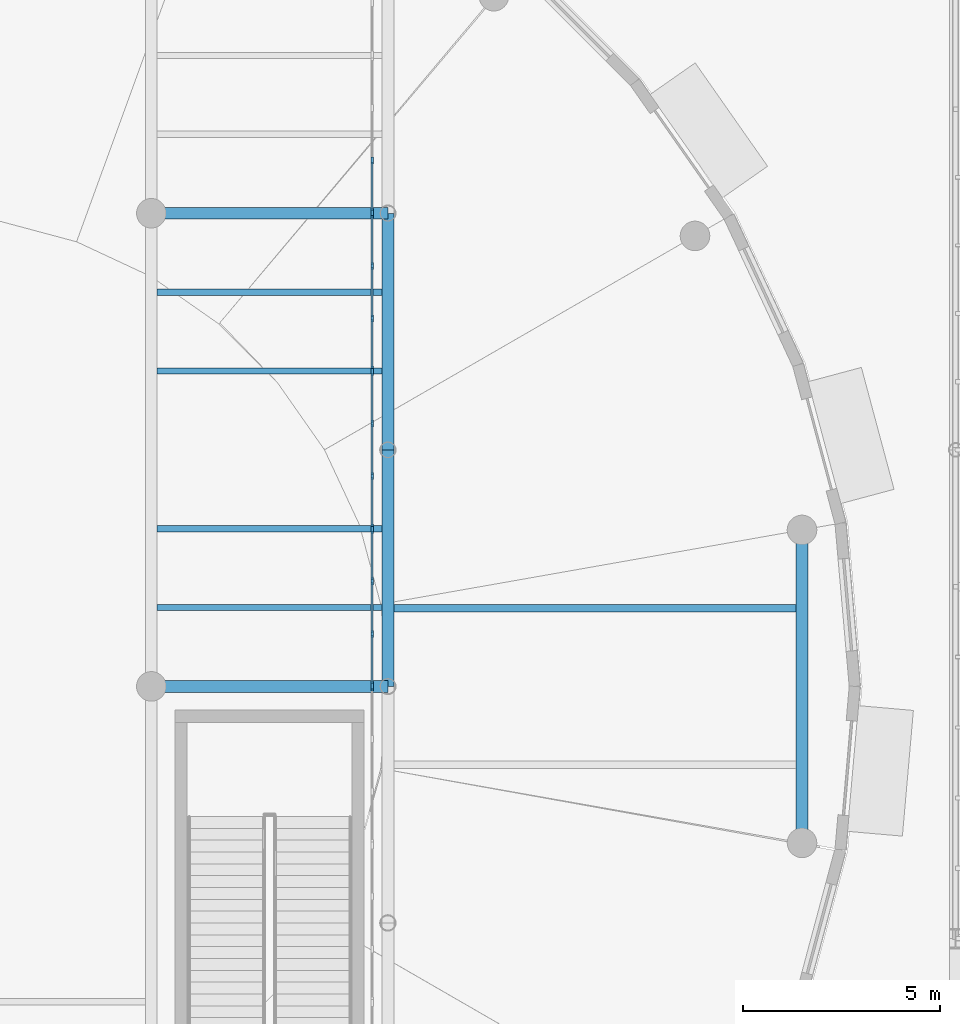
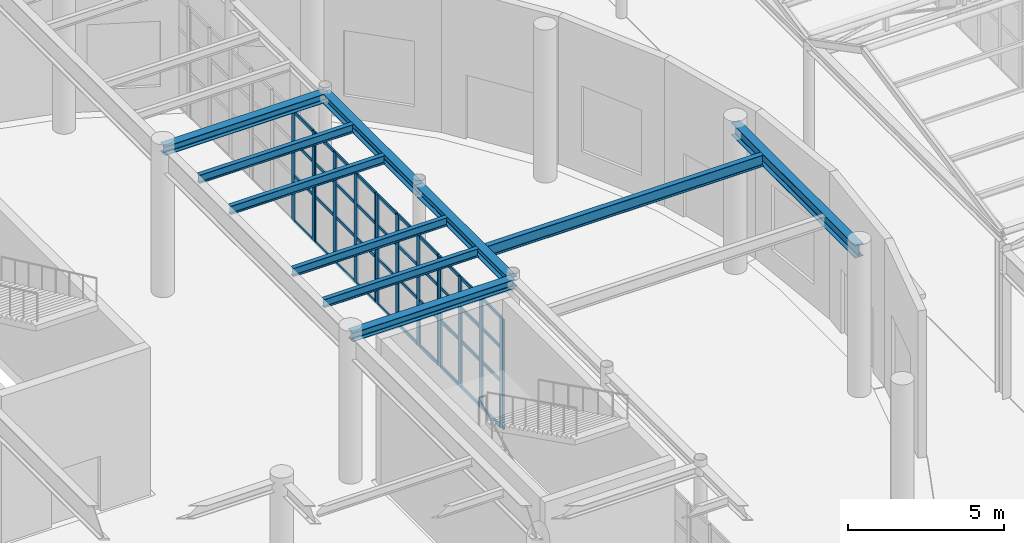
# One storey, part 40 of 118: 55 members, 10 beams, 5 elements without a shape of their own.
"""IFC4 building model written with IfcOpenShell, lengths in metres."""

from ifc_helpers import new_model, si_unit, direction, frame, origin, origin_2d, place, context, subcontext, project, spatial, rectangle, i_section, extrude, material, material_profile, profile_set, type_object, element, aggregate, save


model = new_model("IFC4")

# Units and contexts
model_context = context("Model", 3, precision=1e-05, world=origin(), true_north=direction((0.0, 1.0)))
body_context = subcontext(model_context, "Body", "Model", "MODEL_VIEW")
ifc_project = project(units=[si_unit("LENGTHUNIT", "METRE"), si_unit("AREAUNIT", "SQUARE_METRE"), si_unit("VOLUMEUNIT", "CUBIC_METRE"), si_unit("PLANEANGLEUNIT", "RADIAN"), si_unit("MASSUNIT", "GRAM", prefix="KILO")], contexts=[model_context])

# Site, building, storey
site_placement = place(None, origin())
site = spatial("IfcSite", under=ifc_project, at=site_placement, CompositionType="ELEMENT")
building_placement = place(site_placement, origin())
building = spatial("IfcBuilding", under=site, at=building_placement, Name="Kolvaren Corner Interchange", CompositionType="ELEMENT")
storey_placement = place(building_placement, origin())
storey = spatial("IfcBuildingStorey", under=building, at=storey_placement, Name="L01", CompositionType="ELEMENT", Elevation=0.0)

# Beams
ifc_material_1 = material(Name="Steel S355", Category="steel")
ifc_material_profile_1 = material_profile(ifc_material_1, i_section(OverallWidth=0.300048828125, OverallDepth=0.35009765625, WebThickness=0.010009765625, FlangeThickness=0.017578125, FilletRadius=0.027099609375, at=origin_2d()), Name="HEA 360")
ifc_profile_set_1 = profile_set([ifc_material_profile_1], Name="Steel S355")
beam_type_1 = type_object("IfcBeamType", Name="BM-HEA360", PredefinedType="BEAM", material=ifc_profile_set_1)
for number, where, z_axis, x_axis, name in (
    (1, (126.0, 48.0, 5.574951171875), (1.0, 0.0, 0.0), (0.0, 1.0, 0.0), "Storey L01 Grid X Primary Girder 0261"),
    (2, (126.0, 60.0, 5.574951171875), (1.0, 0.0, 0.0), (0.0, 1.0, 0.0), "Storey L01 Grid X Primary Girder 0267"),
):
    element("IfcBeam", number, at=place(storey_placement, frame(where, z_axis=z_axis, x_axis=x_axis)), inside=storey, type_object=beam_type_1, Name=name, PredefinedType="BEAM", context=body_context, shape_type="SweptSolid", body=[
        extrude(i_section(OverallWidth=0.300048828125, OverallDepth=0.35009765625, WebThickness=0.010009765625, FlangeThickness=0.017578125, FilletRadius=0.027099609375, at=origin_2d()), origin(), (0.0, 0.0, 1.0), 6.0),
    ])
ifc_material_2 = material(Name="Steel S355", Category="steel")
ifc_material_profile_2 = material_profile(ifc_material_2, i_section(OverallWidth=0.300048828125, OverallDepth=0.389892578125, WebThickness=0.010986328125, FlangeThickness=0.01904296875, FilletRadius=0.027099609375, at=origin_2d()), Name="HEA 400")
ifc_profile_set_2 = profile_set([ifc_material_profile_2], Name="Steel S355")
beam_type_2 = type_object("IfcBeamType", Name="BM-HEA400", PredefinedType="BEAM", material=ifc_profile_set_2)
for number, where, z_axis, x_axis, name in (
    (3, (132.0, 48.0, 5.554931640625), (0.0, 1.0, 0.0), (-1.0, 0.0, 0.0), "Storey L01 Grid Y Primary Girder 0373"),
    (4, (132.0, 54.0, 5.554931640625), (0.0, 1.0, 0.0), (-1.0, 0.0, 0.0), "Storey L01 Grid Y Primary Girder 0374"),
):
    element("IfcBeam", number, at=place(storey_placement, frame(where, z_axis=z_axis, x_axis=x_axis)), inside=storey, type_object=beam_type_2, Name=name, PredefinedType="BEAM", context=body_context, shape_type="SweptSolid", body=[
        extrude(i_section(OverallWidth=0.300048828125, OverallDepth=0.389892578125, WebThickness=0.010986328125, FlangeThickness=0.01904296875, FilletRadius=0.027099609375, at=origin_2d()), origin(), (0.0, 0.0, 1.0), 6.0),
    ])
ifc_material_3 = material(Name="Steel S355", Category="steel")
ifc_material_profile_3 = material_profile(ifc_material_3, i_section(OverallWidth=0.300048828125, OverallDepth=0.489990234375, WebThickness=0.011962890625, FlangeThickness=0.02294921875, FilletRadius=0.027099609375, at=origin_2d()), Name="HEA 500")
ifc_profile_set_3 = profile_set([ifc_material_profile_3], Name="Steel S355")
beam_type_3 = type_object("IfcBeamType", Name="BM-HEA500", PredefinedType="BEAM", material=ifc_profile_set_3)
beam_1_placement = place(storey_placement, frame((142.5029296875, 44.031982421875, 5.5048828125), z_axis=(0.0, 1.0, 0.0), x_axis=(-1.0, 0.0, 0.0)))
element("IfcBeam", 5, at=beam_1_placement, inside=storey, type_object=beam_type_3, Name="Storey L01 Grid Y Primary Girder 0377", PredefinedType="BEAM", context=body_context, shape_type="SweptSolid", body=[
    extrude(i_section(OverallWidth=0.300048828125, OverallDepth=0.489990234375, WebThickness=0.011962890625, FlangeThickness=0.02294921875, FilletRadius=0.027099609375, at=origin_2d()), origin(), (0.0, 0.0, 1.0), 7.93603515625),
])
ifc_material_4 = material(Name="Steel S355", Category="steel")
ifc_material_profile_4 = material_profile(ifc_material_4, i_section(OverallWidth=0.159912109375, OverallDepth=0.330078125, WebThickness=0.007568359375, FlangeThickness=0.011474609375, FilletRadius=0.01806640625, at=origin_2d()), Name="IPE 330")
ifc_profile_set_4 = profile_set([ifc_material_profile_4], Name="Steel S355")
beam_type_4 = type_object("IfcBeamType", Name="JS-IPE330", PredefinedType="JOIST", material=ifc_profile_set_4)
for number, where, z_axis, x_axis, name in (
    (6, (126.14990234375, 50.0, 5.5849609375), (1.0, 0.0, 0.0), (0.0, 1.0, 0.0), "Storey L01 Composite Floor Joist 0378"),
    (7, (126.14990234375, 52.0, 5.5849609375), (1.0, 0.0, 0.0), (0.0, 1.0, 0.0), "Storey L01 Composite Floor Joist 0379"),
    (8, (126.14990234375, 56.0, 5.5849609375), (1.0, 0.0, 0.0), (0.0, 1.0, 0.0), "Storey L01 Composite Floor Joist 0380"),
    (9, (126.14990234375, 58.0, 5.5849609375), (1.0, 0.0, 0.0), (0.0, 1.0, 0.0), "Storey L01 Composite Floor Joist 0381"),
):
    element("IfcBeam", number, at=place(storey_placement, frame(where, z_axis=z_axis, x_axis=x_axis)), inside=storey, type_object=beam_type_4, Name=name, PredefinedType="JOIST", context=body_context, shape_type="SweptSolid", body=[
        extrude(i_section(OverallWidth=0.159912109375, OverallDepth=0.330078125, WebThickness=0.007568359375, FlangeThickness=0.011474609375, FilletRadius=0.01806640625, at=origin_2d()), origin(), (0.0, 0.0, 1.0), 5.7001953125),
    ])
ifc_material_5 = material(Name="Steel S355", Category="steel")
ifc_material_profile_5 = material_profile(ifc_material_5, i_section(OverallWidth=0.18994140625, OverallDepth=0.449951171875, WebThickness=0.009521484375, FlangeThickness=0.0146484375, FilletRadius=0.02099609375, at=origin_2d()), Name="IPE 450")
ifc_profile_set_5 = profile_set([ifc_material_profile_5], Name="Steel S355")
beam_type_5 = type_object("IfcBeamType", Name="JS-IPE450", PredefinedType="JOIST", material=ifc_profile_set_5)
beam_2_placement = place(storey_placement, frame((132.14990234375, 49.98388671875, 5.52490234375), z_axis=(1.0, 0.0, 0.0), x_axis=(0.0, 1.0, 0.0)))
element("IfcBeam", 10, at=beam_2_placement, inside=storey, type_object=beam_type_5, Name="Storey L01 Composite Floor Joist 0387", PredefinedType="JOIST", context=body_context, shape_type="SweptSolid", body=[
    extrude(i_section(OverallWidth=0.18994140625, OverallDepth=0.449951171875, WebThickness=0.009521484375, FlangeThickness=0.0146484375, FilletRadius=0.02099609375, at=origin_2d()), origin(), (0.0, 0.0, 1.0), 10.203125),
])

# Curtain wall, member
ifc_material_6 = material(Name="Unitised Aluminium and Solar-Control Glass Curtain Wall", Category="aluminium")
curtain_wall_type = type_object("IfcCurtainWallType", Name="CW-V4-BOARD", PredefinedType="NOTDEFINED", material=ifc_material_6)
curtain_wall_1_placement = place(storey_placement, origin())
curtain_wall_1 = element("IfcCurtainWall", 11, at=curtain_wall_1_placement, inside=storey, type_object=curtain_wall_type, Name="Bus Island West Boarding Curtain Wall Bay 05", PredefinedType="NOTDEFINED")
ifc_material_7 = material(Name="Anodised Aluminium Framing", Category="aluminium")
ifc_material_profile_6 = material_profile(ifc_material_7, rectangle(XDim=0.06005859375, YDim=0.179931640625, at=origin_2d()), Name="ALU 60x180")
ifc_profile_set_6 = profile_set([ifc_material_profile_6], Name="Anodised Aluminium Framing")
member_type_1 = type_object("IfcMemberType", Name="MUL-ALU60x180", PredefinedType="MULLION", material=ifc_profile_set_6)
member_1_placement = place(storey_placement, frame((131.60009765625, 47.969970703125, 0.0), z_axis=(0.0, 0.0, 1.0), x_axis=(-1.0, 0.0, 0.0)))
member_1 = element("IfcMember", 12, at=member_1_placement, type_object=member_type_1, Name="CW-130 mullion 4", PredefinedType="MULLION", context=body_context, shape_type="SweptSolid", body=[
    extrude(rectangle(XDim=0.06005859375, YDim=0.179931640625, at=origin_2d()), origin(), (0.0, 0.0, 1.0), 4.300048828125),
])
aggregate(curtain_wall_1, [member_1])

# Curtain wall, members
curtain_wall_2_placement = place(storey_placement, origin())
curtain_wall_2 = element("IfcCurtainWall", 13, at=curtain_wall_2_placement, inside=storey, type_object=curtain_wall_type, Name="Bus Island West Boarding Curtain Wall Bay 06", PredefinedType="NOTDEFINED")
member_2_placement = place(storey_placement, frame((131.60009765625, 48.030029296875, 0.0), z_axis=(0.0, 0.0, 1.0), x_axis=(-1.0, 0.0, 0.0)))
member_2 = element("IfcMember", 14, at=member_2_placement, type_object=member_type_1, Name="CW-131 mullion 1", PredefinedType="MULLION", context=body_context, shape_type="SweptSolid", body=[
    extrude(rectangle(XDim=0.06005859375, YDim=0.179931640625, at=origin_2d()), origin(), (0.0, 0.0, 1.0), 4.300048828125),
])
member_3_placement = place(storey_placement, frame((131.60009765625, 49.333251953125, 0.0), z_axis=(0.0, 0.0, 1.0), x_axis=(-1.0, 0.0, 0.0)))
member_3 = element("IfcMember", 15, at=member_3_placement, type_object=member_type_1, Name="CW-131 mullion 2", PredefinedType="MULLION", context=body_context, shape_type="SweptSolid", body=[
    extrude(rectangle(XDim=0.06005859375, YDim=0.179931640625, at=origin_2d()), origin(), (0.0, 0.0, 1.0), 4.300048828125),
])
member_4_placement = place(storey_placement, frame((131.60009765625, 50.666748046875, 0.0), z_axis=(0.0, 0.0, 1.0), x_axis=(-1.0, 0.0, 0.0)))
member_4 = element("IfcMember", 16, at=member_4_placement, type_object=member_type_1, Name="CW-131 mullion 3", PredefinedType="MULLION", context=body_context, shape_type="SweptSolid", body=[
    extrude(rectangle(XDim=0.06005859375, YDim=0.179931640625, at=origin_2d()), origin(), (0.0, 0.0, 1.0), 4.300048828125),
])
member_5_placement = place(storey_placement, frame((131.60009765625, 51.969970703125, 0.0), z_axis=(0.0, 0.0, 1.0), x_axis=(-1.0, 0.0, 0.0)))
member_5 = element("IfcMember", 17, at=member_5_placement, type_object=member_type_1, Name="CW-131 mullion 4", PredefinedType="MULLION", context=body_context, shape_type="SweptSolid", body=[
    extrude(rectangle(XDim=0.06005859375, YDim=0.179931640625, at=origin_2d()), origin(), (0.0, 0.0, 1.0), 4.300048828125),
])

curtain_wall_3_placement = place(storey_placement, origin())
curtain_wall_3 = element("IfcCurtainWall", 18, at=curtain_wall_3_placement, inside=storey, type_object=curtain_wall_type, Name="Bus Island West Boarding Curtain Wall Bay 07", PredefinedType="NOTDEFINED")
member_6_placement = place(storey_placement, frame((131.60009765625, 52.030029296875, 0.0), z_axis=(0.0, 0.0, 1.0), x_axis=(-1.0, 0.0, 0.0)))
member_6 = element("IfcMember", 19, at=member_6_placement, type_object=member_type_1, Name="CW-132 mullion 1", PredefinedType="MULLION", context=body_context, shape_type="SweptSolid", body=[
    extrude(rectangle(XDim=0.06005859375, YDim=0.179931640625, at=origin_2d()), origin(), (0.0, 0.0, 1.0), 4.300048828125),
])
member_7_placement = place(storey_placement, frame((131.60009765625, 53.333251953125, 0.0), z_axis=(0.0, 0.0, 1.0), x_axis=(-1.0, 0.0, 0.0)))
member_7 = element("IfcMember", 20, at=member_7_placement, type_object=member_type_1, Name="CW-132 mullion 2", PredefinedType="MULLION", context=body_context, shape_type="SweptSolid", body=[
    extrude(rectangle(XDim=0.06005859375, YDim=0.179931640625, at=origin_2d()), origin(), (0.0, 0.0, 1.0), 4.300048828125),
])
member_8_placement = place(storey_placement, frame((131.60009765625, 54.666748046875, 0.0), z_axis=(0.0, 0.0, 1.0), x_axis=(-1.0, 0.0, 0.0)))
member_8 = element("IfcMember", 21, at=member_8_placement, type_object=member_type_1, Name="CW-132 mullion 3", PredefinedType="MULLION", context=body_context, shape_type="SweptSolid", body=[
    extrude(rectangle(XDim=0.06005859375, YDim=0.179931640625, at=origin_2d()), origin(), (0.0, 0.0, 1.0), 4.300048828125),
])
member_9_placement = place(storey_placement, frame((131.60009765625, 55.969970703125, 0.0), z_axis=(0.0, 0.0, 1.0), x_axis=(-1.0, 0.0, 0.0)))
member_9 = element("IfcMember", 22, at=member_9_placement, type_object=member_type_1, Name="CW-132 mullion 4", PredefinedType="MULLION", context=body_context, shape_type="SweptSolid", body=[
    extrude(rectangle(XDim=0.06005859375, YDim=0.179931640625, at=origin_2d()), origin(), (0.0, 0.0, 1.0), 4.300048828125),
])

curtain_wall_4_placement = place(storey_placement, origin())
curtain_wall_4 = element("IfcCurtainWall", 23, at=curtain_wall_4_placement, inside=storey, type_object=curtain_wall_type, Name="Bus Island West Boarding Curtain Wall Bay 08", PredefinedType="NOTDEFINED")
member_10_placement = place(storey_placement, frame((131.60009765625, 56.030029296875, 0.0), z_axis=(0.0, 0.0, 1.0), x_axis=(-1.0, 0.0, 0.0)))
member_10 = element("IfcMember", 24, at=member_10_placement, type_object=member_type_1, Name="CW-133 mullion 1", PredefinedType="MULLION", context=body_context, shape_type="SweptSolid", body=[
    extrude(rectangle(XDim=0.06005859375, YDim=0.179931640625, at=origin_2d()), origin(), (0.0, 0.0, 1.0), 4.300048828125),
])
member_11_placement = place(storey_placement, frame((131.60009765625, 57.333251953125, 0.0), z_axis=(0.0, 0.0, 1.0), x_axis=(-1.0, 0.0, 0.0)))
member_11 = element("IfcMember", 25, at=member_11_placement, type_object=member_type_1, Name="CW-133 mullion 2", PredefinedType="MULLION", context=body_context, shape_type="SweptSolid", body=[
    extrude(rectangle(XDim=0.06005859375, YDim=0.179931640625, at=origin_2d()), origin(), (0.0, 0.0, 1.0), 4.300048828125),
])
member_12_placement = place(storey_placement, frame((131.60009765625, 58.666748046875, 0.0), z_axis=(0.0, 0.0, 1.0), x_axis=(-1.0, 0.0, 0.0)))
member_12 = element("IfcMember", 26, at=member_12_placement, type_object=member_type_1, Name="CW-133 mullion 3", PredefinedType="MULLION", context=body_context, shape_type="SweptSolid", body=[
    extrude(rectangle(XDim=0.06005859375, YDim=0.179931640625, at=origin_2d()), origin(), (0.0, 0.0, 1.0), 4.300048828125),
])
member_13_placement = place(storey_placement, frame((131.60009765625, 59.969970703125, 0.0), z_axis=(0.0, 0.0, 1.0), x_axis=(-1.0, 0.0, 0.0)))
member_13 = element("IfcMember", 27, at=member_13_placement, type_object=member_type_1, Name="CW-133 mullion 4", PredefinedType="MULLION", context=body_context, shape_type="SweptSolid", body=[
    extrude(rectangle(XDim=0.06005859375, YDim=0.179931640625, at=origin_2d()), origin(), (0.0, 0.0, 1.0), 4.300048828125),
])

curtain_wall_5_placement = place(storey_placement, origin())
curtain_wall_5 = element("IfcCurtainWall", 28, at=curtain_wall_5_placement, inside=storey, type_object=curtain_wall_type, Name="Bus Island West Boarding Curtain Wall Bay 09", PredefinedType="NOTDEFINED")
member_14_placement = place(storey_placement, frame((131.60009765625, 60.030029296875, 0.0), z_axis=(0.0, 0.0, 1.0), x_axis=(-1.0, 0.0, 0.0)))
member_14 = element("IfcMember", 29, at=member_14_placement, type_object=member_type_1, Name="CW-134 mullion 1", PredefinedType="MULLION", context=body_context, shape_type="SweptSolid", body=[
    extrude(rectangle(XDim=0.06005859375, YDim=0.179931640625, at=origin_2d()), origin(), (0.0, 0.0, 1.0), 4.300048828125),
])
member_15_placement = place(storey_placement, frame((131.60009765625, 61.333251953125, 0.0), z_axis=(0.0, 0.0, 1.0), x_axis=(-1.0, 0.0, 0.0)))
member_15 = element("IfcMember", 30, at=member_15_placement, type_object=member_type_1, Name="CW-134 mullion 2", PredefinedType="MULLION", context=body_context, shape_type="SweptSolid", body=[
    extrude(rectangle(XDim=0.06005859375, YDim=0.179931640625, at=origin_2d()), origin(), (0.0, 0.0, 1.0), 4.300048828125),
])

# Member
ifc_material_8 = material(Name="Anodised Aluminium Framing", Category="aluminium")
ifc_material_profile_7 = material_profile(ifc_material_8, rectangle(XDim=0.054931640625, YDim=0.1201171875, at=origin_2d()), Name="ALU 55x120")
ifc_profile_set_7 = profile_set([ifc_material_profile_7], Name="Anodised Aluminium Framing")
member_type_2 = type_object("IfcMemberType", Name="TRN-ALU55x120", PredefinedType="USERDEFINED", material=ifc_profile_set_7)
member_16_placement = place(storey_placement, frame((131.60009765625, 48.06005859375, 0.027587890625), z_axis=(0.0, 1.0, 0.0), x_axis=(-1.0, 0.0, 0.0)))
member_16 = element("IfcMember", 31, at=member_16_placement, type_object=member_type_2, Name="CW-131 transom 1.1", ObjectType="TRANSOM", PredefinedType="USERDEFINED", context=body_context, shape_type="SweptSolid", body=[
    extrude(rectangle(XDim=0.054931640625, YDim=0.1201171875, at=origin_2d()), origin(), (0.0, 0.0, 1.0), 1.2431640625),
])

member_17_placement = place(storey_placement, frame((131.60009765625, 48.06005859375, 1.800048828125), z_axis=(0.0, 1.0, 0.0), x_axis=(-1.0, 0.0, 0.0)))
member_17 = element("IfcMember", 32, at=member_17_placement, type_object=member_type_2, Name="CW-131 transom 1.2", ObjectType="TRANSOM", PredefinedType="USERDEFINED", context=body_context, shape_type="SweptSolid", body=[
    extrude(rectangle(XDim=0.054931640625, YDim=0.1201171875, at=origin_2d()), origin(), (0.0, 0.0, 1.0), 1.2431640625),
])

member_18_placement = place(storey_placement, frame((131.60009765625, 48.06005859375, 3.10009765625), z_axis=(0.0, 1.0, 0.0), x_axis=(-1.0, 0.0, 0.0)))
member_18 = element("IfcMember", 33, at=member_18_placement, type_object=member_type_2, Name="CW-131 transom 1.3", ObjectType="TRANSOM", PredefinedType="USERDEFINED", context=body_context, shape_type="SweptSolid", body=[
    extrude(rectangle(XDim=0.054931640625, YDim=0.1201171875, at=origin_2d()), origin(), (0.0, 0.0, 1.0), 1.2431640625),
])

member_19_placement = place(storey_placement, frame((131.60009765625, 48.06005859375, 4.2724609375), z_axis=(0.0, 1.0, 0.0), x_axis=(-1.0, 0.0, 0.0)))
member_19 = element("IfcMember", 34, at=member_19_placement, type_object=member_type_2, Name="CW-131 transom 1.4", ObjectType="TRANSOM", PredefinedType="USERDEFINED", context=body_context, shape_type="SweptSolid", body=[
    extrude(rectangle(XDim=0.054931640625, YDim=0.1201171875, at=origin_2d()), origin(), (0.0, 0.0, 1.0), 1.2431640625),
])

member_20_placement = place(storey_placement, frame((131.60009765625, 49.36328125, 0.027587890625), z_axis=(0.0, 1.0, 0.0), x_axis=(-1.0, 0.0, 0.0)))
member_20 = element("IfcMember", 35, at=member_20_placement, type_object=member_type_2, Name="CW-131 transom 2.1", ObjectType="TRANSOM", PredefinedType="USERDEFINED", context=body_context, shape_type="SweptSolid", body=[
    extrude(rectangle(XDim=0.054931640625, YDim=0.1201171875, at=origin_2d()), origin(), (0.0, 0.0, 1.0), 1.2734375),
])

member_21_placement = place(storey_placement, frame((131.60009765625, 49.36328125, 1.800048828125), z_axis=(0.0, 1.0, 0.0), x_axis=(-1.0, 0.0, 0.0)))
member_21 = element("IfcMember", 36, at=member_21_placement, type_object=member_type_2, Name="CW-131 transom 2.2", ObjectType="TRANSOM", PredefinedType="USERDEFINED", context=body_context, shape_type="SweptSolid", body=[
    extrude(rectangle(XDim=0.054931640625, YDim=0.1201171875, at=origin_2d()), origin(), (0.0, 0.0, 1.0), 1.2734375),
])

member_22_placement = place(storey_placement, frame((131.60009765625, 49.36328125, 3.10009765625), z_axis=(0.0, 1.0, 0.0), x_axis=(-1.0, 0.0, 0.0)))
member_22 = element("IfcMember", 37, at=member_22_placement, type_object=member_type_2, Name="CW-131 transom 2.3", ObjectType="TRANSOM", PredefinedType="USERDEFINED", context=body_context, shape_type="SweptSolid", body=[
    extrude(rectangle(XDim=0.054931640625, YDim=0.1201171875, at=origin_2d()), origin(), (0.0, 0.0, 1.0), 1.2734375),
])

member_23_placement = place(storey_placement, frame((131.60009765625, 49.36328125, 4.2724609375), z_axis=(0.0, 1.0, 0.0), x_axis=(-1.0, 0.0, 0.0)))
member_23 = element("IfcMember", 38, at=member_23_placement, type_object=member_type_2, Name="CW-131 transom 2.4", ObjectType="TRANSOM", PredefinedType="USERDEFINED", context=body_context, shape_type="SweptSolid", body=[
    extrude(rectangle(XDim=0.054931640625, YDim=0.1201171875, at=origin_2d()), origin(), (0.0, 0.0, 1.0), 1.2734375),
])

member_24_placement = place(storey_placement, frame((131.60009765625, 50.69677734375, 0.027587890625), z_axis=(0.0, 1.0, 0.0), x_axis=(-1.0, 0.0, 0.0)))
member_24 = element("IfcMember", 39, at=member_24_placement, type_object=member_type_2, Name="CW-131 transom 3.1", ObjectType="TRANSOM", PredefinedType="USERDEFINED", context=body_context, shape_type="SweptSolid", body=[
    extrude(rectangle(XDim=0.054931640625, YDim=0.1201171875, at=origin_2d()), origin(), (0.0, 0.0, 1.0), 1.2431640625),
])

member_25_placement = place(storey_placement, frame((131.60009765625, 50.69677734375, 1.800048828125), z_axis=(0.0, 1.0, 0.0), x_axis=(-1.0, 0.0, 0.0)))
member_25 = element("IfcMember", 40, at=member_25_placement, type_object=member_type_2, Name="CW-131 transom 3.2", ObjectType="TRANSOM", PredefinedType="USERDEFINED", context=body_context, shape_type="SweptSolid", body=[
    extrude(rectangle(XDim=0.054931640625, YDim=0.1201171875, at=origin_2d()), origin(), (0.0, 0.0, 1.0), 1.2431640625),
])

member_26_placement = place(storey_placement, frame((131.60009765625, 50.69677734375, 3.10009765625), z_axis=(0.0, 1.0, 0.0), x_axis=(-1.0, 0.0, 0.0)))
member_26 = element("IfcMember", 41, at=member_26_placement, type_object=member_type_2, Name="CW-131 transom 3.3", ObjectType="TRANSOM", PredefinedType="USERDEFINED", context=body_context, shape_type="SweptSolid", body=[
    extrude(rectangle(XDim=0.054931640625, YDim=0.1201171875, at=origin_2d()), origin(), (0.0, 0.0, 1.0), 1.2431640625),
])

member_27_placement = place(storey_placement, frame((131.60009765625, 50.69677734375, 4.2724609375), z_axis=(0.0, 1.0, 0.0), x_axis=(-1.0, 0.0, 0.0)))
member_27 = element("IfcMember", 42, at=member_27_placement, type_object=member_type_2, Name="CW-131 transom 3.4", ObjectType="TRANSOM", PredefinedType="USERDEFINED", context=body_context, shape_type="SweptSolid", body=[
    extrude(rectangle(XDim=0.054931640625, YDim=0.1201171875, at=origin_2d()), origin(), (0.0, 0.0, 1.0), 1.2431640625),
])

aggregate(curtain_wall_2, [member_2, member_3, member_4, member_5, member_16, member_17, member_18, member_19, member_20, member_21, member_22, member_23, member_24, member_25, member_26, member_27])

member_28_placement = place(storey_placement, frame((131.60009765625, 52.06005859375, 0.027587890625), z_axis=(0.0, 1.0, 0.0), x_axis=(-1.0, 0.0, 0.0)))
member_28 = element("IfcMember", 43, at=member_28_placement, type_object=member_type_2, Name="CW-132 transom 1.1", ObjectType="TRANSOM", PredefinedType="USERDEFINED", context=body_context, shape_type="SweptSolid", body=[
    extrude(rectangle(XDim=0.054931640625, YDim=0.1201171875, at=origin_2d()), origin(), (0.0, 0.0, 1.0), 1.2431640625),
])

member_29_placement = place(storey_placement, frame((131.60009765625, 52.06005859375, 1.800048828125), z_axis=(0.0, 1.0, 0.0), x_axis=(-1.0, 0.0, 0.0)))
member_29 = element("IfcMember", 44, at=member_29_placement, type_object=member_type_2, Name="CW-132 transom 1.2", ObjectType="TRANSOM", PredefinedType="USERDEFINED", context=body_context, shape_type="SweptSolid", body=[
    extrude(rectangle(XDim=0.054931640625, YDim=0.1201171875, at=origin_2d()), origin(), (0.0, 0.0, 1.0), 1.2431640625),
])

member_30_placement = place(storey_placement, frame((131.60009765625, 52.06005859375, 3.10009765625), z_axis=(0.0, 1.0, 0.0), x_axis=(-1.0, 0.0, 0.0)))
member_30 = element("IfcMember", 45, at=member_30_placement, type_object=member_type_2, Name="CW-132 transom 1.3", ObjectType="TRANSOM", PredefinedType="USERDEFINED", context=body_context, shape_type="SweptSolid", body=[
    extrude(rectangle(XDim=0.054931640625, YDim=0.1201171875, at=origin_2d()), origin(), (0.0, 0.0, 1.0), 1.2431640625),
])

member_31_placement = place(storey_placement, frame((131.60009765625, 52.06005859375, 4.2724609375), z_axis=(0.0, 1.0, 0.0), x_axis=(-1.0, 0.0, 0.0)))
member_31 = element("IfcMember", 46, at=member_31_placement, type_object=member_type_2, Name="CW-132 transom 1.4", ObjectType="TRANSOM", PredefinedType="USERDEFINED", context=body_context, shape_type="SweptSolid", body=[
    extrude(rectangle(XDim=0.054931640625, YDim=0.1201171875, at=origin_2d()), origin(), (0.0, 0.0, 1.0), 1.2431640625),
])

member_32_placement = place(storey_placement, frame((131.60009765625, 53.36328125, 0.027587890625), z_axis=(0.0, 1.0, 0.0), x_axis=(-1.0, 0.0, 0.0)))
member_32 = element("IfcMember", 47, at=member_32_placement, type_object=member_type_2, Name="CW-132 transom 2.1", ObjectType="TRANSOM", PredefinedType="USERDEFINED", context=body_context, shape_type="SweptSolid", body=[
    extrude(rectangle(XDim=0.054931640625, YDim=0.1201171875, at=origin_2d()), origin(), (0.0, 0.0, 1.0), 1.2734375),
])

member_33_placement = place(storey_placement, frame((131.60009765625, 53.36328125, 1.800048828125), z_axis=(0.0, 1.0, 0.0), x_axis=(-1.0, 0.0, 0.0)))
member_33 = element("IfcMember", 48, at=member_33_placement, type_object=member_type_2, Name="CW-132 transom 2.2", ObjectType="TRANSOM", PredefinedType="USERDEFINED", context=body_context, shape_type="SweptSolid", body=[
    extrude(rectangle(XDim=0.054931640625, YDim=0.1201171875, at=origin_2d()), origin(), (0.0, 0.0, 1.0), 1.2734375),
])

member_34_placement = place(storey_placement, frame((131.60009765625, 53.36328125, 3.10009765625), z_axis=(0.0, 1.0, 0.0), x_axis=(-1.0, 0.0, 0.0)))
member_34 = element("IfcMember", 49, at=member_34_placement, type_object=member_type_2, Name="CW-132 transom 2.3", ObjectType="TRANSOM", PredefinedType="USERDEFINED", context=body_context, shape_type="SweptSolid", body=[
    extrude(rectangle(XDim=0.054931640625, YDim=0.1201171875, at=origin_2d()), origin(), (0.0, 0.0, 1.0), 1.2734375),
])

member_35_placement = place(storey_placement, frame((131.60009765625, 53.36328125, 4.2724609375), z_axis=(0.0, 1.0, 0.0), x_axis=(-1.0, 0.0, 0.0)))
member_35 = element("IfcMember", 50, at=member_35_placement, type_object=member_type_2, Name="CW-132 transom 2.4", ObjectType="TRANSOM", PredefinedType="USERDEFINED", context=body_context, shape_type="SweptSolid", body=[
    extrude(rectangle(XDim=0.054931640625, YDim=0.1201171875, at=origin_2d()), origin(), (0.0, 0.0, 1.0), 1.2734375),
])

member_36_placement = place(storey_placement, frame((131.60009765625, 54.69677734375, 0.027587890625), z_axis=(0.0, 1.0, 0.0), x_axis=(-1.0, 0.0, 0.0)))
member_36 = element("IfcMember", 51, at=member_36_placement, type_object=member_type_2, Name="CW-132 transom 3.1", ObjectType="TRANSOM", PredefinedType="USERDEFINED", context=body_context, shape_type="SweptSolid", body=[
    extrude(rectangle(XDim=0.054931640625, YDim=0.1201171875, at=origin_2d()), origin(), (0.0, 0.0, 1.0), 1.2431640625),
])

member_37_placement = place(storey_placement, frame((131.60009765625, 54.69677734375, 1.800048828125), z_axis=(0.0, 1.0, 0.0), x_axis=(-1.0, 0.0, 0.0)))
member_37 = element("IfcMember", 52, at=member_37_placement, type_object=member_type_2, Name="CW-132 transom 3.2", ObjectType="TRANSOM", PredefinedType="USERDEFINED", context=body_context, shape_type="SweptSolid", body=[
    extrude(rectangle(XDim=0.054931640625, YDim=0.1201171875, at=origin_2d()), origin(), (0.0, 0.0, 1.0), 1.2431640625),
])

member_38_placement = place(storey_placement, frame((131.60009765625, 54.69677734375, 3.10009765625), z_axis=(0.0, 1.0, 0.0), x_axis=(-1.0, 0.0, 0.0)))
member_38 = element("IfcMember", 53, at=member_38_placement, type_object=member_type_2, Name="CW-132 transom 3.3", ObjectType="TRANSOM", PredefinedType="USERDEFINED", context=body_context, shape_type="SweptSolid", body=[
    extrude(rectangle(XDim=0.054931640625, YDim=0.1201171875, at=origin_2d()), origin(), (0.0, 0.0, 1.0), 1.2431640625),
])

member_39_placement = place(storey_placement, frame((131.60009765625, 54.69677734375, 4.2724609375), z_axis=(0.0, 1.0, 0.0), x_axis=(-1.0, 0.0, 0.0)))
member_39 = element("IfcMember", 54, at=member_39_placement, type_object=member_type_2, Name="CW-132 transom 3.4", ObjectType="TRANSOM", PredefinedType="USERDEFINED", context=body_context, shape_type="SweptSolid", body=[
    extrude(rectangle(XDim=0.054931640625, YDim=0.1201171875, at=origin_2d()), origin(), (0.0, 0.0, 1.0), 1.2431640625),
])

aggregate(curtain_wall_3, [member_6, member_7, member_8, member_9, member_28, member_29, member_30, member_31, member_32, member_33, member_34, member_35, member_36, member_37, member_38, member_39])

member_40_placement = place(storey_placement, frame((131.60009765625, 56.06005859375, 0.027587890625), z_axis=(0.0, 1.0, 0.0), x_axis=(-1.0, 0.0, 0.0)))
member_40 = element("IfcMember", 55, at=member_40_placement, type_object=member_type_2, Name="CW-133 transom 1.1", ObjectType="TRANSOM", PredefinedType="USERDEFINED", context=body_context, shape_type="SweptSolid", body=[
    extrude(rectangle(XDim=0.054931640625, YDim=0.1201171875, at=origin_2d()), origin(), (0.0, 0.0, 1.0), 1.2431640625),
])

member_41_placement = place(storey_placement, frame((131.60009765625, 56.06005859375, 1.800048828125), z_axis=(0.0, 1.0, 0.0), x_axis=(-1.0, 0.0, 0.0)))
member_41 = element("IfcMember", 56, at=member_41_placement, type_object=member_type_2, Name="CW-133 transom 1.2", ObjectType="TRANSOM", PredefinedType="USERDEFINED", context=body_context, shape_type="SweptSolid", body=[
    extrude(rectangle(XDim=0.054931640625, YDim=0.1201171875, at=origin_2d()), origin(), (0.0, 0.0, 1.0), 1.2431640625),
])

member_42_placement = place(storey_placement, frame((131.60009765625, 56.06005859375, 3.10009765625), z_axis=(0.0, 1.0, 0.0), x_axis=(-1.0, 0.0, 0.0)))
member_42 = element("IfcMember", 57, at=member_42_placement, type_object=member_type_2, Name="CW-133 transom 1.3", ObjectType="TRANSOM", PredefinedType="USERDEFINED", context=body_context, shape_type="SweptSolid", body=[
    extrude(rectangle(XDim=0.054931640625, YDim=0.1201171875, at=origin_2d()), origin(), (0.0, 0.0, 1.0), 1.2431640625),
])

member_43_placement = place(storey_placement, frame((131.60009765625, 56.06005859375, 4.2724609375), z_axis=(0.0, 1.0, 0.0), x_axis=(-1.0, 0.0, 0.0)))
member_43 = element("IfcMember", 58, at=member_43_placement, type_object=member_type_2, Name="CW-133 transom 1.4", ObjectType="TRANSOM", PredefinedType="USERDEFINED", context=body_context, shape_type="SweptSolid", body=[
    extrude(rectangle(XDim=0.054931640625, YDim=0.1201171875, at=origin_2d()), origin(), (0.0, 0.0, 1.0), 1.2431640625),
])

member_44_placement = place(storey_placement, frame((131.60009765625, 57.36328125, 0.027587890625), z_axis=(0.0, 1.0, 0.0), x_axis=(-1.0, 0.0, 0.0)))
member_44 = element("IfcMember", 59, at=member_44_placement, type_object=member_type_2, Name="CW-133 transom 2.1", ObjectType="TRANSOM", PredefinedType="USERDEFINED", context=body_context, shape_type="SweptSolid", body=[
    extrude(rectangle(XDim=0.054931640625, YDim=0.1201171875, at=origin_2d()), origin(), (0.0, 0.0, 1.0), 1.2734375),
])

member_45_placement = place(storey_placement, frame((131.60009765625, 57.36328125, 1.800048828125), z_axis=(0.0, 1.0, 0.0), x_axis=(-1.0, 0.0, 0.0)))
member_45 = element("IfcMember", 60, at=member_45_placement, type_object=member_type_2, Name="CW-133 transom 2.2", ObjectType="TRANSOM", PredefinedType="USERDEFINED", context=body_context, shape_type="SweptSolid", body=[
    extrude(rectangle(XDim=0.054931640625, YDim=0.1201171875, at=origin_2d()), origin(), (0.0, 0.0, 1.0), 1.2734375),
])

member_46_placement = place(storey_placement, frame((131.60009765625, 57.36328125, 3.10009765625), z_axis=(0.0, 1.0, 0.0), x_axis=(-1.0, 0.0, 0.0)))
member_46 = element("IfcMember", 61, at=member_46_placement, type_object=member_type_2, Name="CW-133 transom 2.3", ObjectType="TRANSOM", PredefinedType="USERDEFINED", context=body_context, shape_type="SweptSolid", body=[
    extrude(rectangle(XDim=0.054931640625, YDim=0.1201171875, at=origin_2d()), origin(), (0.0, 0.0, 1.0), 1.2734375),
])

member_47_placement = place(storey_placement, frame((131.60009765625, 57.36328125, 4.2724609375), z_axis=(0.0, 1.0, 0.0), x_axis=(-1.0, 0.0, 0.0)))
member_47 = element("IfcMember", 62, at=member_47_placement, type_object=member_type_2, Name="CW-133 transom 2.4", ObjectType="TRANSOM", PredefinedType="USERDEFINED", context=body_context, shape_type="SweptSolid", body=[
    extrude(rectangle(XDim=0.054931640625, YDim=0.1201171875, at=origin_2d()), origin(), (0.0, 0.0, 1.0), 1.2734375),
])

member_48_placement = place(storey_placement, frame((131.60009765625, 58.69677734375, 0.027587890625), z_axis=(0.0, 1.0, 0.0), x_axis=(-1.0, 0.0, 0.0)))
member_48 = element("IfcMember", 63, at=member_48_placement, type_object=member_type_2, Name="CW-133 transom 3.1", ObjectType="TRANSOM", PredefinedType="USERDEFINED", context=body_context, shape_type="SweptSolid", body=[
    extrude(rectangle(XDim=0.054931640625, YDim=0.1201171875, at=origin_2d()), origin(), (0.0, 0.0, 1.0), 1.2431640625),
])

member_49_placement = place(storey_placement, frame((131.60009765625, 58.69677734375, 1.800048828125), z_axis=(0.0, 1.0, 0.0), x_axis=(-1.0, 0.0, 0.0)))
member_49 = element("IfcMember", 64, at=member_49_placement, type_object=member_type_2, Name="CW-133 transom 3.2", ObjectType="TRANSOM", PredefinedType="USERDEFINED", context=body_context, shape_type="SweptSolid", body=[
    extrude(rectangle(XDim=0.054931640625, YDim=0.1201171875, at=origin_2d()), origin(), (0.0, 0.0, 1.0), 1.2431640625),
])

member_50_placement = place(storey_placement, frame((131.60009765625, 58.69677734375, 3.10009765625), z_axis=(0.0, 1.0, 0.0), x_axis=(-1.0, 0.0, 0.0)))
member_50 = element("IfcMember", 65, at=member_50_placement, type_object=member_type_2, Name="CW-133 transom 3.3", ObjectType="TRANSOM", PredefinedType="USERDEFINED", context=body_context, shape_type="SweptSolid", body=[
    extrude(rectangle(XDim=0.054931640625, YDim=0.1201171875, at=origin_2d()), origin(), (0.0, 0.0, 1.0), 1.2431640625),
])

member_51_placement = place(storey_placement, frame((131.60009765625, 58.69677734375, 4.2724609375), z_axis=(0.0, 1.0, 0.0), x_axis=(-1.0, 0.0, 0.0)))
member_51 = element("IfcMember", 66, at=member_51_placement, type_object=member_type_2, Name="CW-133 transom 3.4", ObjectType="TRANSOM", PredefinedType="USERDEFINED", context=body_context, shape_type="SweptSolid", body=[
    extrude(rectangle(XDim=0.054931640625, YDim=0.1201171875, at=origin_2d()), origin(), (0.0, 0.0, 1.0), 1.2431640625),
])

aggregate(curtain_wall_4, [member_10, member_11, member_12, member_13, member_40, member_41, member_42, member_43, member_44, member_45, member_46, member_47, member_48, member_49, member_50, member_51])

member_52_placement = place(storey_placement, frame((131.60009765625, 60.06005859375, 0.027587890625), z_axis=(0.0, 1.0, 0.0), x_axis=(-1.0, 0.0, 0.0)))
member_52 = element("IfcMember", 67, at=member_52_placement, type_object=member_type_2, Name="CW-134 transom 1.1", ObjectType="TRANSOM", PredefinedType="USERDEFINED", context=body_context, shape_type="SweptSolid", body=[
    extrude(rectangle(XDim=0.054931640625, YDim=0.1201171875, at=origin_2d()), origin(), (0.0, 0.0, 1.0), 1.2431640625),
])

member_53_placement = place(storey_placement, frame((131.60009765625, 60.06005859375, 1.800048828125), z_axis=(0.0, 1.0, 0.0), x_axis=(-1.0, 0.0, 0.0)))
member_53 = element("IfcMember", 68, at=member_53_placement, type_object=member_type_2, Name="CW-134 transom 1.2", ObjectType="TRANSOM", PredefinedType="USERDEFINED", context=body_context, shape_type="SweptSolid", body=[
    extrude(rectangle(XDim=0.054931640625, YDim=0.1201171875, at=origin_2d()), origin(), (0.0, 0.0, 1.0), 1.2431640625),
])

member_54_placement = place(storey_placement, frame((131.60009765625, 60.06005859375, 3.10009765625), z_axis=(0.0, 1.0, 0.0), x_axis=(-1.0, 0.0, 0.0)))
member_54 = element("IfcMember", 69, at=member_54_placement, type_object=member_type_2, Name="CW-134 transom 1.3", ObjectType="TRANSOM", PredefinedType="USERDEFINED", context=body_context, shape_type="SweptSolid", body=[
    extrude(rectangle(XDim=0.054931640625, YDim=0.1201171875, at=origin_2d()), origin(), (0.0, 0.0, 1.0), 1.2431640625),
])

member_55_placement = place(storey_placement, frame((131.60009765625, 60.06005859375, 4.2724609375), z_axis=(0.0, 1.0, 0.0), x_axis=(-1.0, 0.0, 0.0)))
member_55 = element("IfcMember", 70, at=member_55_placement, type_object=member_type_2, Name="CW-134 transom 1.4", ObjectType="TRANSOM", PredefinedType="USERDEFINED", context=body_context, shape_type="SweptSolid", body=[
    extrude(rectangle(XDim=0.054931640625, YDim=0.1201171875, at=origin_2d()), origin(), (0.0, 0.0, 1.0), 1.2431640625),
])

aggregate(curtain_wall_5, [member_14, member_15, member_52, member_53, member_54, member_55])

save(model, "model.ifc")
